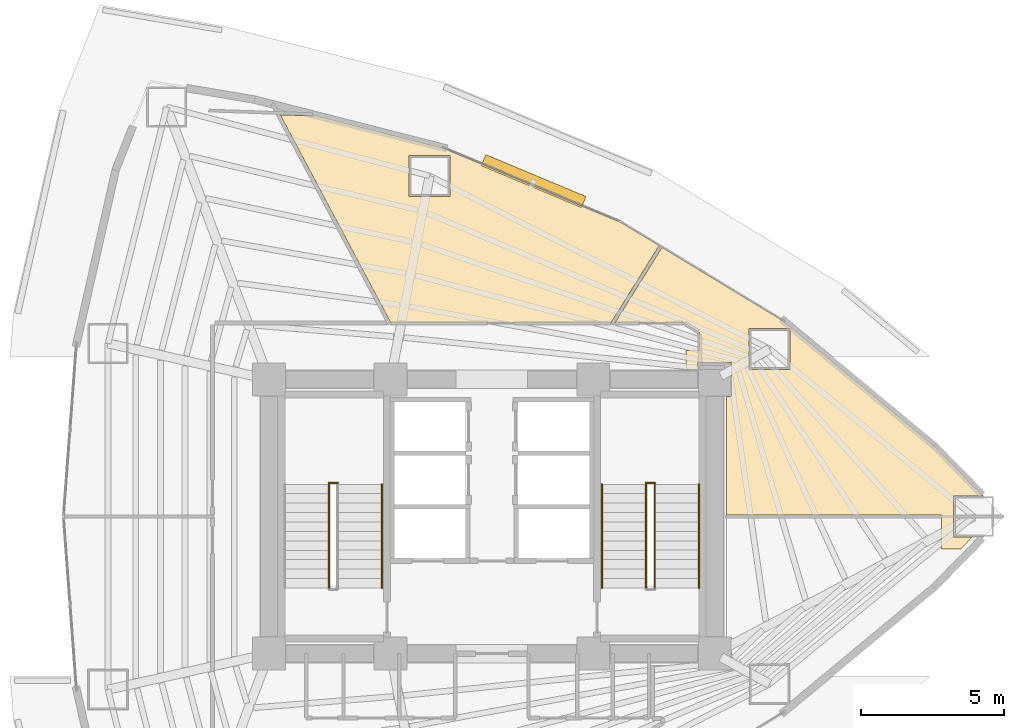
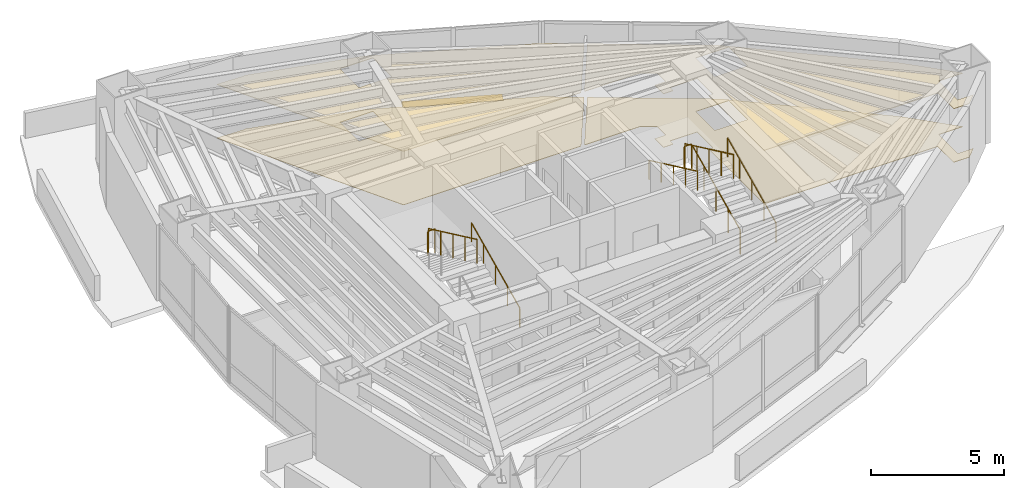
# One storey, part 17 of 17: 8 railings, 4 coverings, 1 shading device.
"""IFC4 building model written with IfcOpenShell, lengths in metres."""

import ifcopenshell
import ifcopenshell.guid

model = None  # the IFC model being written
_history = None  # IfcOwnerHistory: only IFC2X3 demands one
_inside = {}  # id of a spatial element -> (the spatial element, [elements in it])
_under = {}  # id of a project, library or spatial element -> (it, [spatial elements below it])
_declared = {}  # id of a project -> (the project, [libraries it declares])
_typed = {}  # id of a type object -> (the type object, [elements of that type])
_made_of = {}  # id of a material, layer set ... -> (it, [elements and type objects made of it])


def new_model(schema):
    """Start an empty IFC model of exactly this schema.

    Asked for "IFC4X3", IfcOpenShell would pick the latest addendum, in which some entities
    have other attributes; the version numbers below select the first issue.
    IFC2X3 requires an IfcOwnerHistory on every rooted entity: one is made here for all.
    """
    global model, _history
    if schema == "IFC4X3":
        model = ifcopenshell.file(schema_version=(4, 3, 0, 0))
    else:
        model = ifcopenshell.file(schema=schema)
    _inside.clear()
    _under.clear()
    _declared.clear()
    _typed.clear()
    _made_of.clear()
    _history = None
    if model.schema == "IFC2X3":
        org = make("IfcOrganization", Name="unknown")
        user = make(
            "IfcPersonAndOrganization",
            ThePerson=make("IfcPerson", FamilyName="unknown"),
            TheOrganization=org,
        )
        app = make(
            "IfcApplication",
            ApplicationDeveloper=org,
            Version="unknown",
            ApplicationFullName="unknown",
            ApplicationIdentifier="unknown",
        )
        _history = make(
            "IfcOwnerHistory",
            OwningUser=user,
            OwningApplication=app,
            ChangeAction="ADDED",
            CreationDate=0,
        )
    return model


def make(cls, **values):
    """One entity of the class cls with the attributes given. An attribute that is None is left unset."""
    return model.create_entity(
        cls, **{name: value for name, value in values.items() if value is not None}
    )


def rooted(cls, **values):
    """An entity with a GlobalId (a new one), such as an element, a storey or a relation."""
    return make(cls, GlobalId=ifcopenshell.guid.new(), OwnerHistory=_history, **values)


def si_unit(unit_type, name, prefix=None):
    """IfcSIUnit, for example si_unit("LENGTHUNIT", "METRE", prefix="MILLI")."""
    return make("IfcSIUnit", UnitType=unit_type, Prefix=prefix, Name=name)


def assignment(units):
    """IfcUnitAssignment: the units of a project."""
    return None if units is None else make("IfcUnitAssignment", Units=units)


def point(xyz):
    """IfcCartesianPoint."""
    return None if xyz is None else make("IfcCartesianPoint", Coordinates=xyz)


def direction(xyz):
    """IfcDirection."""
    return None if xyz is None else make("IfcDirection", DirectionRatios=xyz)


def frame(location, z_axis=None, x_axis=None):
    """IfcAxis2Placement3D, a coordinate frame: its origin and axes. An axis left out is left unset."""
    return make(
        "IfcAxis2Placement3D",
        Location=point(location),
        Axis=direction(z_axis),
        RefDirection=direction(x_axis),
    )


def frame_2d(location, x_axis=None):
    """IfcAxis2Placement2D, a coordinate frame in the plane: its origin and x axis."""
    return make(
        "IfcAxis2Placement2D", Location=point(location), RefDirection=direction(x_axis)
    )


def origin():
    """The frame at (0, 0, 0) with its axes left unset."""
    return frame((0.0, 0.0, 0.0))


def origin_2d():
    """The frame at (0, 0) in the plane with its x axis left unset."""
    return frame_2d((0.0, 0.0))


def place(relative_to, where):
    """IfcLocalPlacement: puts the frame where relative to a parent placement (None: the world)."""
    return make(
        "IfcLocalPlacement", PlacementRelTo=relative_to, RelativePlacement=where
    )


def context(
    kind, dimensions, precision=None, world=None, true_north=None, identifier=None
):
    """IfcGeometricRepresentationContext, for example the 3D "Model" context."""
    return make(
        "IfcGeometricRepresentationContext",
        ContextIdentifier=identifier,
        ContextType=kind,
        CoordinateSpaceDimension=dimensions,
        Precision=precision,
        WorldCoordinateSystem=world,
        TrueNorth=true_north,
    )


def subcontext(parent, identifier, kind, view, scale=None):
    """IfcGeometricRepresentationSubContext, for example "Body" below "Model"."""
    return make(
        "IfcGeometricRepresentationSubContext",
        ContextIdentifier=identifier,
        ContextType=kind,
        ParentContext=parent,
        TargetScale=scale,
        TargetView=view,
    )


def project(units=None, contexts=None):
    """IfcProject with its units and contexts."""
    return rooted(
        "IfcProject",
        Name="project",
        RepresentationContexts=contexts,
        UnitsInContext=assignment(units),
    )


def spatial(cls, under=None, at=None, **own):
    """A site, building, storey or space (cls), placed at a placement, below another one or the project."""
    s = rooted(cls, ObjectPlacement=at, **own)
    if under is not None:
        _under.setdefault(under.id(), (under, []))[1].append(s)
    return s


def polyline(points):
    """IfcPolyline through the points."""
    return make("IfcPolyline", Points=[point(p) for p in points])


def profile(cls, at=None, kind="AREA", **sizes):
    """A parametric profile (cls). Its sizes go by their IFC names, for example OverallWidth=200.0."""
    return make(cls, ProfileType=kind, Position=at, **sizes)


def rectangle(**sizes):
    """IfcRectangleProfileDef."""
    return profile("IfcRectangleProfileDef", **sizes)


def circle(**sizes):
    """IfcCircleProfileDef."""
    return profile("IfcCircleProfileDef", **sizes)


def outline(outer, holes=None, kind="AREA"):
    """IfcArbitraryClosedProfileDef: a profile drawn as a closed curve; with holes, ...WithVoids."""
    if holes is None:
        return make("IfcArbitraryClosedProfileDef", ProfileType=kind, OuterCurve=outer)
    return make(
        "IfcArbitraryProfileDefWithVoids",
        ProfileType=kind,
        OuterCurve=outer,
        InnerCurves=holes,
    )


def extrude(swept, where, along, depth):
    """IfcExtrudedAreaSolid: the profile swept, set in the frame where, extruded along a direction by depth."""
    return make(
        "IfcExtrudedAreaSolid",
        SweptArea=swept,
        Position=where,
        ExtrudedDirection=direction(along),
        Depth=depth,
    )


def shape(context_of_items, identifier, shape_type, items):
    """IfcShapeRepresentation: the items that make up one representation, for example the "Body"."""
    return make(
        "IfcShapeRepresentation",
        ContextOfItems=context_of_items,
        RepresentationIdentifier=identifier,
        RepresentationType=shape_type,
        Items=items,
    )


def material(Name=None, Category=None):
    """IfcMaterial."""
    return make("IfcMaterial", Name=Name, Category=Category)


def layer(
    of_material, thickness, ventilated=None, Name=None, Category=None, Priority=None
):
    """IfcMaterialLayer: one layer of a wall or slab, of a material (None: an air gap)."""
    return make(
        "IfcMaterialLayer",
        Material=of_material,
        LayerThickness=thickness,
        IsVentilated=ventilated,
        Name=Name,
        Category=Category,
        Priority=Priority,
    )


def layer_set(layers, Name=None):
    """IfcMaterialLayerSet."""
    return make("IfcMaterialLayerSet", MaterialLayers=layers, LayerSetName=Name)


def made_of(thing, what):
    """Note that an element or type object is made of a material, layer set ...; save() writes the relation."""
    if what is not None:
        _made_of.setdefault(what.id(), (what, []))[1].append(thing)
    return thing


def type_object(cls, material=None, **own):
    """A type object (cls), such as IfcWallType, which elements share."""
    return made_of(rooted(cls, **own), material)


def element(
    cls,
    number,
    at=None,
    inside=None,
    cuts=None,
    type_object=None,
    material=None,
    context=None,
    identifier="Body",
    shape_type=None,
    held_by="IfcProductDefinitionShape",
    body=None,
    shapes=None,
    **own,
):
    """One element of the class cls, such as IfcWall. Its Tag is "e" and its number.

    at: its placement. inside: the storey or other place that contains it. cuts: it is an
    opening in that element (IfcRelVoidsElement). A single representation is given by context,
    identifier, shape_type and body (its items); several are given by shapes. held_by: the class
    of the entity that holds the representations. save() writes the other relations.
    """
    e = rooted(cls, Tag="e%d" % number, ObjectPlacement=at, **own)
    if body is not None:
        shapes = [shape(context, identifier, shape_type, body)]
    if shapes is not None:
        e.Representation = make(held_by, Representations=shapes)
    if inside is not None:
        _inside.setdefault(inside.id(), (inside, []))[1].append(e)
    if cuts is not None:
        rooted(
            "IfcRelVoidsElement", RelatingBuildingElement=cuts, RelatedOpeningElement=e
        )
    if type_object is not None:
        _typed.setdefault(type_object.id(), (type_object, []))[1].append(e)
    return made_of(e, material)


def aggregate(whole, parts):
    """IfcRelAggregates: a whole, such as a stair, and the parts it consists of."""
    return rooted("IfcRelAggregates", RelatingObject=whole, RelatedObjects=parts)


def save(model, path):
    """Write the relations noted so far, then the file.

    IfcRelAggregates (storeys below a building ...), IfcRelContainedInSpatialStructure (elements
    in a storey), IfcRelDefinesByType, IfcRelAssociatesMaterial and IfcRelDeclares: one each for
    every whole, place, type object, material and project.
    """
    for whole, parts in _under.values():
        aggregate(whole, parts)
    for where, things in _inside.values():
        rooted(
            "IfcRelContainedInSpatialStructure",
            RelatedElements=things,
            RelatingStructure=where,
        )
    for kind, things in _typed.values():
        rooted("IfcRelDefinesByType", RelatedObjects=things, RelatingType=kind)
    for what, things in _made_of.values():
        rooted("IfcRelAssociatesMaterial", RelatedObjects=things, RelatingMaterial=what)
    for by, libraries in _declared.values():
        rooted("IfcRelDeclares", RelatingContext=by, RelatedDefinitions=libraries)
    model.write(path)


model = new_model("IFC4")

# Units and contexts
model_context = context("Model", 3, precision=1e-05, world=origin(), true_north=direction((0.0, 1.0)))
body_context = subcontext(model_context, "Body", "Model", "MODEL_VIEW")
ifc_project = project(units=[si_unit("LENGTHUNIT", "METRE"), si_unit("AREAUNIT", "SQUARE_METRE"), si_unit("VOLUMEUNIT", "CUBIC_METRE"), si_unit("PLANEANGLEUNIT", "RADIAN"), si_unit("MASSUNIT", "GRAM", prefix="KILO")], contexts=[model_context])

# Site, building, storey
site_placement = place(None, origin())
site = spatial("IfcSite", under=ifc_project, at=site_placement, CompositionType="ELEMENT")
building_placement = place(site_placement, origin())
building = spatial("IfcBuilding", under=site, at=building_placement, Name="Menara Vayukalpa", CompositionType="ELEMENT")
storey_placement = place(building_placement, frame((0.0, 0.0, 27.60009765625)))
storey = spatial("IfcBuildingStorey", under=building, at=storey_placement, Name="L05", CompositionType="ELEMENT", Elevation=27.60009765625)

# Coverings
ifc_material_1 = material(Name="Mineral Fibre Acoustic Ceiling Tile", Category="masonry")
ifc_layer_1 = layer(ifc_material_1, 0.02490234375)
ifc_layer_set_1 = layer_set([ifc_layer_1], Name="Mineral Fibre Acoustic Ceiling Tile")
covering_type_1 = type_object("IfcCoveringType", Name="COV-CLG1", PredefinedType="CEILING", material=ifc_layer_set_1)
covering_1_placement = place(storey_placement, frame((0.0, 0.0, 2.449951171875)))
element("IfcCovering", 1, at=covering_1_placement, inside=storey, type_object=covering_type_1, Name="L05 Staff Dining and Pantry Acoustic Ceiling", PredefinedType="CEILING", context=body_context, shape_type="SweptSolid", body=[
    extrude(outline(polyline([(33.819091796875, 22.06005859375), (33.818115234375, 22.060302734375), (33.817138671875, 22.060302734375), (33.816162109375, 22.060791015625), (33.815185546875, 22.061279296875), (33.814453125, 22.061767578125), (33.813720703125, 22.062255859375), (33.81298828125, 22.06298828125), (33.812255859375, 22.063720703125), (33.811767578125, 22.064453125), (33.811279296875, 22.065185546875), (33.810791015625, 22.066162109375), (33.810302734375, 22.067138671875), (33.810302734375, 22.068115234375), (33.81005859375, 22.069091796875), (33.81005859375, 22.070068359375), (33.81005859375, 26.2099609375), (33.989990234375, 26.2099609375), (33.989990234375, 27.389892578125), (32.81005859375, 27.389892578125), (32.81005859375, 27.14990234375), (32.389892578125, 27.14990234375), (32.389892578125, 27.81005859375), (32.8701171875, 27.81005859375), (32.8701171875, 28.39453125), (32.86962890625, 28.40185546875), (32.868408203125, 28.408935546875), (32.86669921875, 28.416015625), (32.8642578125, 28.422607421875), (32.861083984375, 28.428955078125), (32.857177734375, 28.43505859375), (32.852783203125, 28.440673828125), (32.847900390625, 28.44580078125), (32.84228515625, 28.450439453125), (32.836181640625, 28.45458984375), (32.333984375, 28.759765625), (32.328125, 28.762939453125), (32.322509765625, 28.765380859375), (32.31640625, 28.767333984375), (32.31005859375, 28.768798828125), (32.3037109375, 28.769775390625), (32.297119140625, 28.77001953125), (29.919189453125, 28.77001953125), (29.918212890625, 28.77001953125), (29.917236328125, 28.770263671875), (29.916259765625, 28.7705078125), (29.915283203125, 28.770751953125), (29.91455078125, 28.77099609375), (29.913818359375, 28.771484375), (29.912841796875, 28.772216796875), (29.912109375, 28.77294921875), (29.91162109375, 28.773681640625), (29.910888671875, 28.7744140625), (29.910400390625, 28.775146484375), (29.909912109375, 28.77587890625), (29.90966796875, 28.77685546875), (29.909423828125, 28.77783203125), (29.9091796875, 28.77880859375), (29.9091796875, 28.77978515625), (29.9091796875, 28.78076171875), (29.9091796875, 28.78173828125), (29.90966796875, 28.78271484375), (29.909912109375, 28.78369140625), (29.91015625, 28.784423828125), (29.91064453125, 28.785400390625), (31.551513671875, 31.411376953125), (31.55224609375, 31.412109375), (31.552734375, 31.412841796875), (31.553466796875, 31.41357421875), (31.55419921875, 31.414306640625), (31.55517578125, 31.414794921875), (31.555908203125, 31.415283203125), (31.556884765625, 31.41552734375), (31.557861328125, 31.415771484375), (31.55859375, 31.416015625), (31.559814453125, 31.416015625), (31.560791015625, 31.416015625), (31.561767578125, 31.416015625), (31.5625, 31.415771484375), (31.5634765625, 31.41552734375), (31.564453125, 31.4150390625), (31.565185546875, 31.41455078125), (35.810791015625, 28.835693359375), (35.81201171875, 28.834716796875), (41.07763671875, 24.468017578125), (41.078369140625, 24.46728515625), (42.798828125, 22.715087890625), (41.749755859375, 22.715087890625), (41.749755859375, 21.284912109375), (42.42041015625, 21.284912109375), (42.008056640625, 20.864990234375), (41.329833984375, 20.864990234375), (41.329833984375, 22.06005859375), (33.820068359375, 22.06005859375), (33.819091796875, 22.06005859375)]), holes=[polyline([(36.032958984375, 27.148193359375), (36.032958984375, 28.578125), (34.60302734375, 28.578125), (34.60302734375, 27.148193359375), (36.032958984375, 27.148193359375)])]), origin(), (0.0, 0.0, 1.0), 0.02490234375),
])
covering_2_placement = place(storey_placement, frame((0.0, 0.0, 2.449951171875)))
element("IfcCovering", 2, at=covering_2_placement, inside=storey, type_object=covering_type_1, Name="L05 Visitor Reception Lounge Acoustic Ceiling", PredefinedType="CEILING", context=body_context, shape_type="SweptSolid", body=[
    extrude(outline(polyline([(30.08984375, 32.310791015625), (30.090576171875, 32.310302734375), (30.09130859375, 32.31005859375), (31.445556640625, 31.4873046875), (31.4462890625, 31.48681640625), (31.447265625, 31.486083984375), (31.447998046875, 31.4853515625), (31.448486328125, 31.484619140625), (31.448974609375, 31.48388671875), (31.449462890625, 31.48291015625), (31.449951171875, 31.48193359375), (31.4501953125, 31.48095703125), (31.4501953125, 31.47998046875), (31.450439453125, 31.47900390625), (31.450439453125, 31.47802734375), (31.4501953125, 31.47705078125), (31.4501953125, 31.47607421875), (31.44970703125, 31.47509765625), (31.449462890625, 31.474365234375), (31.448974609375, 31.473388671875), (29.7626953125, 28.774658203125), (29.761962890625, 28.77392578125), (29.76123046875, 28.773193359375), (29.760498046875, 28.7724609375), (29.759765625, 28.771728515625), (29.7587890625, 28.771240234375), (29.758056640625, 28.770751953125), (29.757080078125, 28.7705078125), (29.756103515625, 28.770263671875), (29.755126953125, 28.77001953125), (29.754150390625, 28.77001953125), (22.07421875, 28.77001953125), (22.0732421875, 28.77001953125), (22.072265625, 28.770263671875), (22.0712890625, 28.7705078125), (22.070556640625, 28.770751953125), (22.069580078125, 28.771240234375), (22.068603515625, 28.771728515625), (22.06787109375, 28.772216796875), (22.067138671875, 28.77294921875), (22.066650390625, 28.773681640625), (22.06591796875, 28.7744140625), (22.0654296875, 28.775390625), (18.198486328125, 36.04833984375), (18.197998046875, 36.04931640625), (18.197509765625, 36.050048828125), (18.197509765625, 36.051025390625), (18.197265625, 36.052001953125), (18.197265625, 36.052978515625), (18.197265625, 36.05419921875), (18.197509765625, 36.05517578125), (18.19775390625, 36.055908203125), (18.197998046875, 36.056884765625), (18.198486328125, 36.057861328125), (18.198974609375, 36.05859375), (18.19970703125, 36.0595703125), (18.2001953125, 36.060302734375), (18.200927734375, 36.060791015625), (18.201904296875, 36.0615234375), (18.20263671875, 36.06201171875), (18.20361328125, 36.062255859375), (18.20458984375, 36.062744140625), (18.20556640625, 36.06298828125), (18.20654296875, 36.06298828125), (18.20751953125, 36.06298828125), (19.326904296875, 36.02392578125), (19.3330078125, 36.02392578125), (19.3388671875, 36.024658203125), (19.344482421875, 36.02587890625), (19.35009765625, 36.027587890625), (19.355712890625, 36.030029296875), (19.360595703125, 36.03271484375), (19.365478515625, 36.0361328125), (19.3701171875, 36.039794921875), (19.3740234375, 36.044189453125), (19.375, 36.045166015625), (19.37548828125, 36.0458984375), (19.376220703125, 36.046630859375), (19.376953125, 36.04736328125), (19.377685546875, 36.0478515625), (19.378662109375, 36.04833984375), (19.379638671875, 36.048583984375), (19.380615234375, 36.048828125), (19.381591796875, 36.049072265625), (19.382568359375, 36.04931640625), (19.38330078125, 36.04931640625), (19.384521484375, 36.049072265625), (19.385498046875, 36.048828125), (23.914794921875, 34.893798828125), (23.916015625, 34.893310546875), (30.08984375, 32.310791015625)]), holes=[polyline([(24.134521484375, 33.207763671875), (24.134521484375, 34.6376953125), (22.704345703125, 34.6376953125), (22.704345703125, 33.207763671875), (24.134521484375, 33.207763671875)])]), origin(), (0.0, 0.0, 1.0), 0.02490234375),
])
ifc_material_2 = material(Name="Porcelain Stoneware Floor Tile", Category="masonry")
ifc_layer_2 = layer(ifc_material_2, 0.02001953125)
ifc_layer_set_2 = layer_set([ifc_layer_2], Name="Porcelain Stoneware Floor Tile")
covering_type_2 = type_object("IfcCoveringType", Name="COV-FLR1", PredefinedType="FLOORING", material=ifc_layer_set_2)
covering_3_placement = place(storey_placement, origin())
element("IfcCovering", 3, at=covering_3_placement, inside=storey, type_object=covering_type_2, Name="L05 Staff Dining and Pantry Porcelain Flooring", PredefinedType="FLOORING", context=body_context, shape_type="SweptSolid", body=[
    extrude(outline(polyline([(33.819091796875, 22.06005859375), (33.818115234375, 22.060302734375), (33.817138671875, 22.060302734375), (33.816162109375, 22.060791015625), (33.815185546875, 22.061279296875), (33.814453125, 22.061767578125), (33.813720703125, 22.062255859375), (33.81298828125, 22.06298828125), (33.812255859375, 22.063720703125), (33.811767578125, 22.064453125), (33.811279296875, 22.065185546875), (33.810791015625, 22.066162109375), (33.810302734375, 22.067138671875), (33.810302734375, 22.068115234375), (33.81005859375, 22.069091796875), (33.81005859375, 22.070068359375), (33.81005859375, 26.2099609375), (33.989990234375, 26.2099609375), (33.989990234375, 27.389892578125), (32.81005859375, 27.389892578125), (32.81005859375, 27.14990234375), (32.389892578125, 27.14990234375), (32.389892578125, 27.81005859375), (32.8701171875, 27.81005859375), (32.8701171875, 28.39453125), (32.86962890625, 28.40185546875), (32.868408203125, 28.408935546875), (32.86669921875, 28.416015625), (32.8642578125, 28.422607421875), (32.861083984375, 28.428955078125), (32.857177734375, 28.43505859375), (32.852783203125, 28.440673828125), (32.847900390625, 28.44580078125), (32.84228515625, 28.450439453125), (32.836181640625, 28.45458984375), (32.333984375, 28.759765625), (32.328125, 28.762939453125), (32.322509765625, 28.765380859375), (32.31640625, 28.767333984375), (32.31005859375, 28.768798828125), (32.3037109375, 28.769775390625), (32.297119140625, 28.77001953125), (29.919189453125, 28.77001953125), (29.918212890625, 28.77001953125), (29.917236328125, 28.770263671875), (29.916259765625, 28.7705078125), (29.915283203125, 28.770751953125), (29.91455078125, 28.77099609375), (29.913818359375, 28.771484375), (29.912841796875, 28.772216796875), (29.912109375, 28.77294921875), (29.91162109375, 28.773681640625), (29.910888671875, 28.7744140625), (29.910400390625, 28.775146484375), (29.909912109375, 28.77587890625), (29.90966796875, 28.77685546875), (29.909423828125, 28.77783203125), (29.9091796875, 28.77880859375), (29.9091796875, 28.77978515625), (29.9091796875, 28.78076171875), (29.9091796875, 28.78173828125), (29.90966796875, 28.78271484375), (29.909912109375, 28.78369140625), (29.91015625, 28.784423828125), (29.91064453125, 28.785400390625), (31.551513671875, 31.411376953125), (31.55224609375, 31.412109375), (31.552734375, 31.412841796875), (31.553466796875, 31.41357421875), (31.55419921875, 31.414306640625), (31.55517578125, 31.414794921875), (31.555908203125, 31.415283203125), (31.556884765625, 31.41552734375), (31.557861328125, 31.415771484375), (31.55859375, 31.416015625), (31.559814453125, 31.416015625), (31.560791015625, 31.416015625), (31.561767578125, 31.416015625), (31.5625, 31.415771484375), (31.5634765625, 31.41552734375), (31.564453125, 31.4150390625), (31.565185546875, 31.41455078125), (35.810791015625, 28.835693359375), (35.81201171875, 28.834716796875), (41.07763671875, 24.468017578125), (41.078369140625, 24.46728515625), (42.798828125, 22.715087890625), (41.749755859375, 22.715087890625), (41.749755859375, 21.284912109375), (42.42041015625, 21.284912109375), (42.008056640625, 20.864990234375), (41.329833984375, 20.864990234375), (41.329833984375, 22.06005859375), (33.820068359375, 22.06005859375), (33.819091796875, 22.06005859375)]), holes=[polyline([(36.032958984375, 27.148193359375), (36.032958984375, 28.578125), (34.60302734375, 28.578125), (34.60302734375, 27.148193359375), (36.032958984375, 27.148193359375)])]), origin(), (0.0, 0.0, 1.0), 0.02001953125),
])
covering_4_placement = place(storey_placement, origin())
element("IfcCovering", 4, at=covering_4_placement, inside=storey, type_object=covering_type_2, Name="L05 Visitor Reception Lounge Porcelain Flooring", PredefinedType="FLOORING", context=body_context, shape_type="SweptSolid", body=[
    extrude(outline(polyline([(30.08984375, 32.310791015625), (30.090576171875, 32.310302734375), (30.09130859375, 32.31005859375), (31.445556640625, 31.4873046875), (31.4462890625, 31.48681640625), (31.447265625, 31.486083984375), (31.447998046875, 31.4853515625), (31.448486328125, 31.484619140625), (31.448974609375, 31.48388671875), (31.449462890625, 31.48291015625), (31.449951171875, 31.48193359375), (31.4501953125, 31.48095703125), (31.4501953125, 31.47998046875), (31.450439453125, 31.47900390625), (31.450439453125, 31.47802734375), (31.4501953125, 31.47705078125), (31.4501953125, 31.47607421875), (31.44970703125, 31.47509765625), (31.449462890625, 31.474365234375), (31.448974609375, 31.473388671875), (29.7626953125, 28.774658203125), (29.761962890625, 28.77392578125), (29.76123046875, 28.773193359375), (29.760498046875, 28.7724609375), (29.759765625, 28.771728515625), (29.7587890625, 28.771240234375), (29.758056640625, 28.770751953125), (29.757080078125, 28.7705078125), (29.756103515625, 28.770263671875), (29.755126953125, 28.77001953125), (29.754150390625, 28.77001953125), (22.07421875, 28.77001953125), (22.0732421875, 28.77001953125), (22.072265625, 28.770263671875), (22.0712890625, 28.7705078125), (22.070556640625, 28.770751953125), (22.069580078125, 28.771240234375), (22.068603515625, 28.771728515625), (22.06787109375, 28.772216796875), (22.067138671875, 28.77294921875), (22.066650390625, 28.773681640625), (22.06591796875, 28.7744140625), (22.0654296875, 28.775390625), (18.198486328125, 36.04833984375), (18.197998046875, 36.04931640625), (18.197509765625, 36.050048828125), (18.197509765625, 36.051025390625), (18.197265625, 36.052001953125), (18.197265625, 36.052978515625), (18.197265625, 36.05419921875), (18.197509765625, 36.05517578125), (18.19775390625, 36.055908203125), (18.197998046875, 36.056884765625), (18.198486328125, 36.057861328125), (18.198974609375, 36.05859375), (18.19970703125, 36.0595703125), (18.2001953125, 36.060302734375), (18.200927734375, 36.060791015625), (18.201904296875, 36.0615234375), (18.20263671875, 36.06201171875), (18.20361328125, 36.062255859375), (18.20458984375, 36.062744140625), (18.20556640625, 36.06298828125), (18.20654296875, 36.06298828125), (18.20751953125, 36.06298828125), (19.326904296875, 36.02392578125), (19.3330078125, 36.02392578125), (19.3388671875, 36.024658203125), (19.344482421875, 36.02587890625), (19.35009765625, 36.027587890625), (19.355712890625, 36.030029296875), (19.360595703125, 36.03271484375), (19.365478515625, 36.0361328125), (19.3701171875, 36.039794921875), (19.3740234375, 36.044189453125), (19.375, 36.045166015625), (19.37548828125, 36.0458984375), (19.376220703125, 36.046630859375), (19.376953125, 36.04736328125), (19.377685546875, 36.0478515625), (19.378662109375, 36.04833984375), (19.379638671875, 36.048583984375), (19.380615234375, 36.048828125), (19.381591796875, 36.049072265625), (19.382568359375, 36.04931640625), (19.38330078125, 36.04931640625), (19.384521484375, 36.049072265625), (19.385498046875, 36.048828125), (23.914794921875, 34.893798828125), (23.916015625, 34.893310546875), (30.08984375, 32.310791015625)]), holes=[polyline([(24.134521484375, 33.207763671875), (24.134521484375, 34.6376953125), (22.704345703125, 34.6376953125), (22.704345703125, 33.207763671875), (24.134521484375, 33.207763671875)])]), origin(), (0.0, 0.0, 1.0), 0.02001953125),
])

# Railings
ifc_material_3 = material(Name="Powder-Coated Galvanised Steel Guardrail", Category="steel")
railing_type_1 = type_object("IfcRailingType", Name="RLG-STG110", PredefinedType="GUARDRAIL", material=ifc_material_3)
railing_1_placement = place(storey_placement, frame((20.2099609375, 23.179931640625, 1.85986328125)))
element("IfcRailing", 5, at=railing_1_placement, inside=storey, type_object=railing_type_1, Name="L05 ST-1 stair guard 2", PredefinedType="GUARDRAIL", context=body_context, shape_type="SweptSolid", body=[
    extrude(circle(Radius=0.02392578125, at=origin_2d()), frame((0.0, 0.0, 1.09619140625), z_axis=(-1.0, 0.0, 0.0), x_axis=(0.0, -1.0, 0.0)), (0.0, 0.0, 1.0), 0.320068359375),
    extrude(circle(Radius=0.02099609375, at=origin_2d()), origin(), (0.0, 0.0, 1.0), 1.072021484375),
    extrude(circle(Radius=0.02099609375, at=origin_2d()), frame((-0.320068359375, 0.0, 0.0)), (0.0, 0.0, 1.0), 1.072021484375),
])
railing_2_placement = place(storey_placement, frame((19.89990234375, 23.1298828125, 2.014892578125)))
element("IfcRailing", 6, at=railing_2_placement, inside=storey, type_object=railing_type_1, Name="L05 ST-1 stair guard 3", PredefinedType="GUARDRAIL", context=body_context, shape_type="SweptSolid", body=[
    extrude(circle(Radius=0.02392578125, at=origin_2d()), frame((0.0, 0.0, 1.09619140625), z_axis=(0.0, -0.90511648382, 0.425163675209), x_axis=(1.0, 0.0, 0.0)), (0.0, 0.0, 1.0), 4.010498046875),
    extrude(circle(Radius=0.02099609375, at=origin_2d()), origin(), (0.0, 0.0, 1.0), 1.072021484375),
    extrude(circle(Radius=0.02099609375, at=origin_2d()), frame((0.0, -0.907470703125, 0.42626953125)), (0.0, 0.0, 1.0), 1.072021484375),
    extrude(circle(Radius=0.02099609375, at=origin_2d()), frame((0.0, -1.81494140625, 0.8525390625)), (0.0, 0.0, 1.0), 1.072021484375),
    extrude(circle(Radius=0.02099609375, at=origin_2d()), frame((0.0, -2.722412109375, 1.27880859375)), (0.0, 0.0, 1.0), 1.072021484375),
    extrude(circle(Radius=0.02099609375, at=origin_2d()), frame((0.0, -3.6298828125, 1.705078125)), (0.0, 0.0, 1.0), 1.072021484375),
])
railing_3_placement = place(storey_placement, frame((31.300048828125, 19.5, 0.15478515625)))
element("IfcRailing", 7, at=railing_3_placement, inside=storey, type_object=railing_type_1, Name="L05 ST-2 stair guard 1", PredefinedType="GUARDRAIL", context=body_context, shape_type="SweptSolid", body=[
    extrude(circle(Radius=0.02392578125, at=origin_2d()), frame((0.0, 0.0, 1.09619140625), z_axis=(0.0, 0.90511648382, 0.425163675209), x_axis=(-1.0, 0.0, 0.0)), (0.0, 0.0, 1.0), 4.010498046875),
    extrude(circle(Radius=0.02099609375, at=origin_2d()), origin(), (0.0, 0.0, 1.0), 1.072021484375),
    extrude(circle(Radius=0.02099609375, at=origin_2d()), frame((0.0, 0.907470703125, 0.42626953125)), (0.0, 0.0, 1.0), 1.072021484375),
    extrude(circle(Radius=0.02099609375, at=origin_2d()), frame((0.0, 1.81494140625, 0.8525390625)), (0.0, 0.0, 1.0), 1.072021484375),
    extrude(circle(Radius=0.02099609375, at=origin_2d()), frame((0.0, 2.722412109375, 1.27880859375)), (0.0, 0.0, 1.0), 1.072021484375),
    extrude(circle(Radius=0.02099609375, at=origin_2d()), frame((0.0, 3.6298828125, 1.705078125)), (0.0, 0.0, 1.0), 1.072021484375),
])
railing_4_placement = place(storey_placement, frame((31.31005859375, 23.179931640625, 1.85986328125)))
element("IfcRailing", 8, at=railing_4_placement, inside=storey, type_object=railing_type_1, Name="L05 ST-2 stair guard 2", PredefinedType="GUARDRAIL", context=body_context, shape_type="SweptSolid", body=[
    extrude(circle(Radius=0.02392578125, at=origin_2d()), frame((0.0, 0.0, 1.09619140625), z_axis=(-1.0, 0.0, 0.0), x_axis=(0.0, -1.0, 0.0)), (0.0, 0.0, 1.0), 0.320068359375),
    extrude(circle(Radius=0.02099609375, at=origin_2d()), origin(), (0.0, 0.0, 1.0), 1.072021484375),
    extrude(circle(Radius=0.02099609375, at=origin_2d()), frame((-0.320068359375, 0.0, 0.0)), (0.0, 0.0, 1.0), 1.072021484375),
])
railing_5_placement = place(storey_placement, frame((31.0, 23.1298828125, 2.014892578125)))
element("IfcRailing", 9, at=railing_5_placement, inside=storey, type_object=railing_type_1, Name="L05 ST-2 stair guard 3", PredefinedType="GUARDRAIL", context=body_context, shape_type="SweptSolid", body=[
    extrude(circle(Radius=0.02392578125, at=origin_2d()), frame((0.0, 0.0, 1.09619140625), z_axis=(0.0, -0.90511648382, 0.425163675209), x_axis=(1.0, 0.0, 0.0)), (0.0, 0.0, 1.0), 4.010498046875),
    extrude(circle(Radius=0.02099609375, at=origin_2d()), origin(), (0.0, 0.0, 1.0), 1.072021484375),
    extrude(circle(Radius=0.02099609375, at=origin_2d()), frame((0.0, -0.907470703125, 0.42626953125)), (0.0, 0.0, 1.0), 1.072021484375),
    extrude(circle(Radius=0.02099609375, at=origin_2d()), frame((0.0, -1.81494140625, 0.8525390625)), (0.0, 0.0, 1.0), 1.072021484375),
    extrude(circle(Radius=0.02099609375, at=origin_2d()), frame((0.0, -2.722412109375, 1.27880859375)), (0.0, 0.0, 1.0), 1.072021484375),
    extrude(circle(Radius=0.02099609375, at=origin_2d()), frame((0.0, -3.6298828125, 1.705078125)), (0.0, 0.0, 1.0), 1.072021484375),
])
ifc_material_4 = material(Name="Stainless Steel 316 Tubular Handrail", Category="steel")
railing_type_2 = type_object("IfcRailingType", Name="RLG-STH090", PredefinedType="HANDRAIL", material=ifc_material_4)
for number, where, name in (
    (10, (21.75, 19.5, 0.15478515625), "L05 ST-1 stair handrail 1"),
    (11, (32.85009765625, 19.5, 0.15478515625), "L05 ST-2 stair handrail 1"),
):
    element("IfcRailing", number, at=place(storey_placement, frame(where)), inside=storey, type_object=railing_type_2, Name=name, PredefinedType="HANDRAIL", context=body_context, shape_type="SweptSolid", body=[
        extrude(circle(Radius=0.02392578125, at=origin_2d()), frame((0.0, 0.0, 0.8759765625), z_axis=(0.0, 0.90511648382, 0.425163675209), x_axis=(-1.0, 0.0, 0.0)), (0.0, 0.0, 1.0), 4.010498046875),
        extrude(circle(Radius=0.02099609375, at=origin_2d()), origin(), (0.0, 0.0, 1.0), 0.851806640625),
        extrude(circle(Radius=0.02099609375, at=origin_2d()), frame((0.0, 0.907470703125, 0.42626953125)), (0.0, 0.0, 1.0), 0.851806640625),
        extrude(circle(Radius=0.02099609375, at=origin_2d()), frame((0.0, 1.81494140625, 0.8525390625)), (0.0, 0.0, 1.0), 0.851806640625),
        extrude(circle(Radius=0.02099609375, at=origin_2d()), frame((0.0, 2.722412109375, 1.27880859375)), (0.0, 0.0, 1.0), 0.851806640625),
        extrude(circle(Radius=0.02099609375, at=origin_2d()), frame((0.0, 3.6298828125, 1.705078125)), (0.0, 0.0, 1.0), 0.851806640625),
    ])
railing_6_placement = place(storey_placement, frame((29.449951171875, 23.1298828125, 2.014892578125)))
element("IfcRailing", 12, at=railing_6_placement, inside=storey, type_object=railing_type_2, Name="L05 ST-2 stair handrail 2", PredefinedType="HANDRAIL", context=body_context, shape_type="SweptSolid", body=[
    extrude(circle(Radius=0.02392578125, at=origin_2d()), frame((0.0, 0.0, 0.8759765625), z_axis=(0.0, -0.90511648382, 0.425163675209), x_axis=(1.0, 0.0, 0.0)), (0.0, 0.0, 1.0), 4.010498046875),
    extrude(circle(Radius=0.02099609375, at=origin_2d()), origin(), (0.0, 0.0, 1.0), 0.851806640625),
    extrude(circle(Radius=0.02099609375, at=origin_2d()), frame((0.0, -0.907470703125, 0.42626953125)), (0.0, 0.0, 1.0), 0.851806640625),
    extrude(circle(Radius=0.02099609375, at=origin_2d()), frame((0.0, -1.81494140625, 0.8525390625)), (0.0, 0.0, 1.0), 0.851806640625),
    extrude(circle(Radius=0.02099609375, at=origin_2d()), frame((0.0, -2.722412109375, 1.27880859375)), (0.0, 0.0, 1.0), 0.851806640625),
    extrude(circle(Radius=0.02099609375, at=origin_2d()), frame((0.0, -3.6298828125, 1.705078125)), (0.0, 0.0, 1.0), 0.851806640625),
])

# Shading device
ifc_material_5 = material(Name="Glazed Terracotta Ceramic Baguette Extrusion", Category="masonry")
ifc_layer_3 = layer(ifc_material_5, 0.1201171875)
ifc_layer_set_3 = layer_set([ifc_layer_3], Name="Glazed Terracotta Ceramic Baguette Extrusion")
shading_device_type = type_object("IfcShadingDeviceType", Name="SHD-SS1", PredefinedType="USERDEFINED", material=ifc_layer_set_3)
shading_device_placement = place(storey_placement, frame((27.060791015625, 33.740478515625, -0.10009765625), z_axis=(0.0, 0.0, 1.0), x_axis=(-0.922544824647, 0.385889940938, 0.0)))
element("IfcShadingDevice", 13, at=shading_device_placement, inside=storey, type_object=shading_device_type, Name="L05 Horizontal Terracotta Sunshade Band 05", ObjectType="SUNSHADE", PredefinedType="USERDEFINED", context=body_context, shape_type="SweptSolid", body=[
    extrude(rectangle(XDim=3.800048828125, YDim=0.419921875, at=origin_2d()), origin(), (0.0, 0.0, 1.0), 0.1201171875),
])

save(model, "model.ifc")
